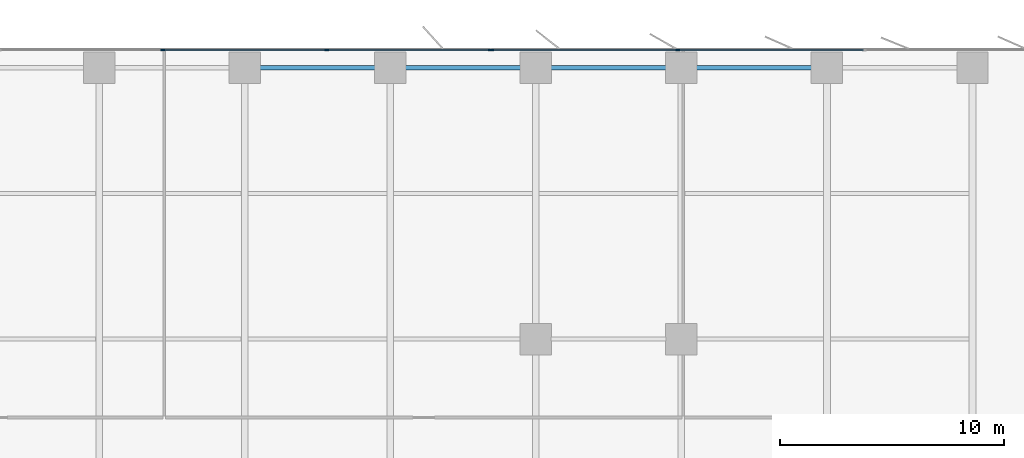
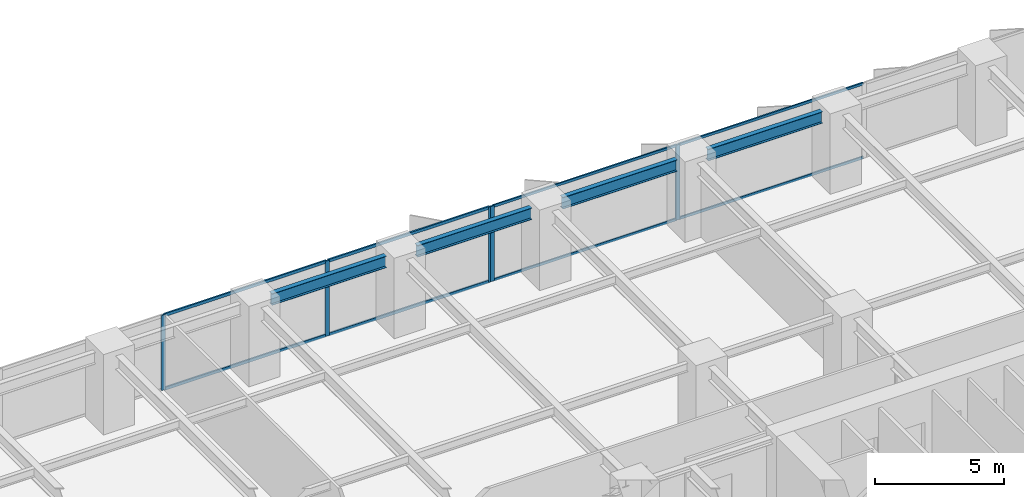
# One storey, part 9 of 21: 13 members, 4 beams, 2 elements without a shape of their own.
"""IFC4 building model written with IfcOpenShell, lengths in metres."""

from ifc_helpers import new_model, si_unit, direction, frame, origin, origin_2d, place, context, subcontext, project, spatial, rectangle, i_section, extrude, material, layer, layer_set, material_profile, profile_set, type_object, element, aggregate, save


model = new_model("IFC4")

# Units and contexts
model_context = context("Model", 3, precision=1e-05, world=origin(), true_north=direction((0.0, 1.0)))
body_context = subcontext(model_context, "Body", "Model", "MODEL_VIEW")
ifc_project = project(units=[si_unit("LENGTHUNIT", "METRE"), si_unit("AREAUNIT", "SQUARE_METRE"), si_unit("VOLUMEUNIT", "CUBIC_METRE"), si_unit("PLANEANGLEUNIT", "RADIAN"), si_unit("MASSUNIT", "GRAM", prefix="KILO")], contexts=[model_context])

# Site, building, storey
site_placement = place(None, origin())
site = spatial("IfcSite", under=ifc_project, at=site_placement, CompositionType="ELEMENT")
building_placement = place(site_placement, origin())
building = spatial("IfcBuilding", under=site, at=building_placement, Name="Putna Gate Headquarters", CompositionType="ELEMENT")
storey_placement = place(building_placement, frame((0.0, 0.0, 39.199951171875)))
storey = spatial("IfcBuildingStorey", under=building, at=storey_placement, Name="L08", CompositionType="ELEMENT", Elevation=39.199951171875)

# Beams
ifc_material_1 = material(Name="Steel S355J2", Category="steel")
ifc_material_profile_1 = material_profile(ifc_material_1, i_section(OverallWidth=0.2099609375, OverallDepth=0.550048828125, WebThickness=0.010986328125, FlangeThickness=0.01708984375, at=origin_2d()), Name="Steel S355J2")
ifc_profile_set_1 = profile_set([ifc_material_profile_1], Name="Steel S355J2")
beam_type = type_object("IfcBeamType", Name="BM-SPAN-Z1-IPE550", PredefinedType="SPANDREL", material=ifc_profile_set_1)
for number, where, z_axis, x_axis, name in (
    (1, (39.68798828125, 51.1201171875, 3.275146484375), (1.0, 0.0, 0.0), (0.0, 1.0, 0.0), "L08 N Perimeter Spandrel 6"),
    (2, (46.18798828125, 51.1201171875, 3.275146484375), (1.0, 0.0, 0.0), (0.0, 1.0, 0.0), "L08 N Perimeter Spandrel 7"),
    (3, (52.68798828125, 51.1201171875, 3.275146484375), (1.0, 0.0, 0.0), (0.0, 1.0, 0.0), "L08 N Perimeter Spandrel 8"),
    (4, (59.18798828125, 51.1201171875, 3.275146484375), (1.0, 0.0, 0.0), (0.0, 1.0, 0.0), "L08 N Perimeter Spandrel 9"),
):
    element("IfcBeam", number, at=place(storey_placement, frame(where, z_axis=z_axis, x_axis=x_axis)), inside=storey, type_object=beam_type, Name=name, PredefinedType="SPANDREL", context=body_context, shape_type="SweptSolid", body=[
        extrude(i_section(OverallWidth=0.2099609375, OverallDepth=0.550048828125, WebThickness=0.010986328125, FlangeThickness=0.01708984375, at=origin_2d()), origin(), (0.0, 0.0, 1.0), 5.1240234375),
    ])

# Curtain wall, members
ifc_material_2 = material(Name="Anodised bronze aluminium curtain wall", Category="aluminium")
ifc_layer_1 = layer(ifc_material_2, 0.179931640625)
ifc_layer_set_1 = layer_set([ifc_layer_1], Name="Anodised bronze aluminium curtain wall")
curtain_wall_type_1 = type_object("IfcCurtainWallType", Name="CW-SYS-Z1", PredefinedType="USERDEFINED", material=ifc_layer_set_1)
curtain_wall_1_placement = place(storey_placement, origin())
curtain_wall_1 = element("IfcCurtainWall", 5, at=curtain_wall_1_placement, inside=storey, type_object=curtain_wall_type_1, Name="L08 North East Curtain Wall", ObjectType="STICK CURTAIN WALL", PredefinedType="USERDEFINED")
ifc_material_3 = material(Name="Anodised bronze aluminium EN AW-6060", Category="aluminium")
ifc_material_profile_2 = material_profile(ifc_material_3, rectangle(XDim=0.070068359375, YDim=0.179931640625, at=origin_2d()), Name="Anodised bronze aluminium EN AW-6060")
ifc_profile_set_2 = profile_set([ifc_material_profile_2], Name="Anodised bronze aluminium EN AW-6060")
member_type_1 = type_object("IfcMemberType", Name="MULL-CWM-1", PredefinedType="MULLION", material=ifc_profile_set_2)
member_1_placement = place(storey_placement, frame((50.034912109375, 51.919921875, 0.0), z_axis=(0.0, 0.0, 1.0), x_axis=(0.0, 1.0, 0.0)))
member_1 = element("IfcMember", 6, at=member_1_placement, type_object=member_type_1, Name="CWS-1 mullion 1", PredefinedType="MULLION", context=body_context, shape_type="SweptSolid", body=[
    extrude(rectangle(XDim=0.070068359375, YDim=0.179931640625, at=origin_2d()), origin(), (0.0, 0.0, 1.0), 3.550048828125),
])
member_2_placement = place(storey_placement, frame((58.333251953125, 51.919921875, 0.0), z_axis=(0.0, 0.0, 1.0), x_axis=(0.0, 1.0, 0.0)))
member_2 = element("IfcMember", 7, at=member_2_placement, type_object=member_type_1, Name="CWS-1 mullion 2", PredefinedType="MULLION", context=body_context, shape_type="SweptSolid", body=[
    extrude(rectangle(XDim=0.070068359375, YDim=0.179931640625, at=origin_2d()), origin(), (0.0, 0.0, 1.0), 3.550048828125),
])

ifc_layer_2 = layer(ifc_material_2, 0.179931640625)
ifc_layer_set_2 = layer_set([ifc_layer_2], Name="Anodised bronze aluminium curtain wall")
curtain_wall_type_2 = type_object("IfcCurtainWallType", Name="CW-SYS-ATR", PredefinedType="USERDEFINED", material=ifc_layer_set_2)
curtain_wall_2_placement = place(storey_placement, origin())
curtain_wall_2 = element("IfcCurtainWall", 8, at=curtain_wall_2_placement, inside=storey, type_object=curtain_wall_type_2, Name="L08 North Atrium Clear Glazing", ObjectType="ATRIUM GLAZING", PredefinedType="USERDEFINED")
ifc_material_profile_3 = material_profile(ifc_material_3, rectangle(XDim=0.070068359375, YDim=0.179931640625, at=origin_2d()), Name="Anodised bronze aluminium EN AW-6060")
ifc_profile_set_3 = profile_set([ifc_material_profile_3], Name="Anodised bronze aluminium EN AW-6060")
member_type_2 = type_object("IfcMemberType", Name="MULL-CWM-AT", PredefinedType="MULLION", material=ifc_profile_set_3)
member_3_placement = place(storey_placement, frame((35.333251953125, 51.919921875, 0.0), z_axis=(0.0, 0.0, 1.0), x_axis=(0.0, 1.0, 0.0)))
member_3 = element("IfcMember", 9, at=member_3_placement, type_object=member_type_2, Name="CWS-AT mullion 2", PredefinedType="MULLION", context=body_context, shape_type="SweptSolid", body=[
    extrude(rectangle(XDim=0.070068359375, YDim=0.179931640625, at=origin_2d()), origin(), (0.0, 0.0, 1.0), 3.550048828125),
])
member_4_placement = place(storey_placement, frame((42.666748046875, 51.919921875, 0.0), z_axis=(0.0, 0.0, 1.0), x_axis=(0.0, 1.0, 0.0)))
member_4 = element("IfcMember", 10, at=member_4_placement, type_object=member_type_2, Name="CWS-AT mullion 3", PredefinedType="MULLION", context=body_context, shape_type="SweptSolid", body=[
    extrude(rectangle(XDim=0.070068359375, YDim=0.179931640625, at=origin_2d()), origin(), (0.0, 0.0, 1.0), 3.550048828125),
])
member_5_placement = place(storey_placement, frame((49.965087890625, 51.919921875, 0.0), z_axis=(0.0, 0.0, 1.0), x_axis=(0.0, 1.0, 0.0)))
member_5 = element("IfcMember", 11, at=member_5_placement, type_object=member_type_2, Name="CWS-AT mullion 4", PredefinedType="MULLION", context=body_context, shape_type="SweptSolid", body=[
    extrude(rectangle(XDim=0.070068359375, YDim=0.179931640625, at=origin_2d()), origin(), (0.0, 0.0, 1.0), 3.550048828125),
])

# Member
ifc_material_profile_4 = material_profile(ifc_material_3, rectangle(XDim=0.06494140625, YDim=0.1201171875, at=origin_2d()), Name="Anodised bronze aluminium EN AW-6060")
ifc_profile_set_4 = profile_set([ifc_material_profile_4], Name="Anodised bronze aluminium EN AW-6060")
member_type_3 = type_object("IfcMemberType", Name="TRAN-CWT-1", PredefinedType="USERDEFINED", material=ifc_profile_set_4)
member_6_placement = place(storey_placement, frame((50.070068359375, 51.919921875, 0.032470703125), z_axis=(1.0, 0.0, 0.0), x_axis=(0.0, 1.0, 0.0)))
member_6 = element("IfcMember", 12, at=member_6_placement, type_object=member_type_3, Name="CWS-1 transom 1.1", ObjectType="TRANSOM", PredefinedType="USERDEFINED", context=body_context, shape_type="SweptSolid", body=[
    extrude(rectangle(XDim=0.06494140625, YDim=0.1201171875, at=origin_2d()), origin(), (0.0, 0.0, 1.0), 8.228271484375),
])

member_7_placement = place(storey_placement, frame((50.070068359375, 51.919921875, 3.517578125), z_axis=(1.0, 0.0, 0.0), x_axis=(0.0, 1.0, 0.0)))
member_7 = element("IfcMember", 13, at=member_7_placement, type_object=member_type_3, Name="CWS-1 transom 1.2", ObjectType="TRANSOM", PredefinedType="USERDEFINED", context=body_context, shape_type="SweptSolid", body=[
    extrude(rectangle(XDim=0.06494140625, YDim=0.1201171875, at=origin_2d()), origin(), (0.0, 0.0, 1.0), 8.228271484375),
])

member_8_placement = place(storey_placement, frame((58.368408203125, 51.919921875, 0.032470703125), z_axis=(1.0, 0.0, 0.0), x_axis=(0.0, 1.0, 0.0)))
member_8 = element("IfcMember", 14, at=member_8_placement, type_object=member_type_3, Name="CWS-1 transom 2.1", ObjectType="TRANSOM", PredefinedType="USERDEFINED", context=body_context, shape_type="SweptSolid", body=[
    extrude(rectangle(XDim=0.06494140625, YDim=0.1201171875, at=origin_2d()), origin(), (0.0, 0.0, 1.0), 8.26318359375),
])

member_9_placement = place(storey_placement, frame((58.368408203125, 51.919921875, 3.517578125), z_axis=(1.0, 0.0, 0.0), x_axis=(0.0, 1.0, 0.0)))
member_9 = element("IfcMember", 15, at=member_9_placement, type_object=member_type_3, Name="CWS-1 transom 2.2", ObjectType="TRANSOM", PredefinedType="USERDEFINED", context=body_context, shape_type="SweptSolid", body=[
    extrude(rectangle(XDim=0.06494140625, YDim=0.1201171875, at=origin_2d()), origin(), (0.0, 0.0, 1.0), 8.26318359375),
])

aggregate(curtain_wall_1, [member_1, member_2, member_6, member_7, member_8, member_9])

ifc_material_profile_5 = material_profile(ifc_material_3, rectangle(XDim=0.070068359375, YDim=0.139892578125, at=origin_2d()), Name="Anodised bronze aluminium EN AW-6060")
ifc_profile_set_5 = profile_set([ifc_material_profile_5], Name="Anodised bronze aluminium EN AW-6060")
member_type_4 = type_object("IfcMemberType", Name="TRAN-CWT-AT", PredefinedType="USERDEFINED", material=ifc_profile_set_5)
member_10_placement = place(storey_placement, frame((35.368408203125, 51.919921875, 0.03515625), z_axis=(1.0, 0.0, 0.0), x_axis=(0.0, 1.0, 0.0)))
member_10 = element("IfcMember", 16, at=member_10_placement, type_object=member_type_4, Name="CWS-AT transom 2.1", ObjectType="TRANSOM", PredefinedType="USERDEFINED", context=body_context, shape_type="SweptSolid", body=[
    extrude(rectangle(XDim=0.070068359375, YDim=0.139892578125, at=origin_2d()), origin(), (0.0, 0.0, 1.0), 7.26318359375),
])

member_11_placement = place(storey_placement, frame((35.368408203125, 51.919921875, 3.51513671875), z_axis=(1.0, 0.0, 0.0), x_axis=(0.0, 1.0, 0.0)))
member_11 = element("IfcMember", 17, at=member_11_placement, type_object=member_type_4, Name="CWS-AT transom 2.2", ObjectType="TRANSOM", PredefinedType="USERDEFINED", context=body_context, shape_type="SweptSolid", body=[
    extrude(rectangle(XDim=0.070068359375, YDim=0.139892578125, at=origin_2d()), origin(), (0.0, 0.0, 1.0), 7.26318359375),
])

member_12_placement = place(storey_placement, frame((42.70166015625, 51.919921875, 0.03515625), z_axis=(1.0, 0.0, 0.0), x_axis=(0.0, 1.0, 0.0)))
member_12 = element("IfcMember", 18, at=member_12_placement, type_object=member_type_4, Name="CWS-AT transom 3.1", ObjectType="TRANSOM", PredefinedType="USERDEFINED", context=body_context, shape_type="SweptSolid", body=[
    extrude(rectangle(XDim=0.070068359375, YDim=0.139892578125, at=origin_2d()), origin(), (0.0, 0.0, 1.0), 7.228271484375),
])

member_13_placement = place(storey_placement, frame((42.70166015625, 51.919921875, 3.51513671875), z_axis=(1.0, 0.0, 0.0), x_axis=(0.0, 1.0, 0.0)))
member_13 = element("IfcMember", 19, at=member_13_placement, type_object=member_type_4, Name="CWS-AT transom 3.2", ObjectType="TRANSOM", PredefinedType="USERDEFINED", context=body_context, shape_type="SweptSolid", body=[
    extrude(rectangle(XDim=0.070068359375, YDim=0.139892578125, at=origin_2d()), origin(), (0.0, 0.0, 1.0), 7.228271484375),
])

aggregate(curtain_wall_2, [member_3, member_4, member_5, member_10, member_11, member_12, member_13])

save(model, "model.ifc")
